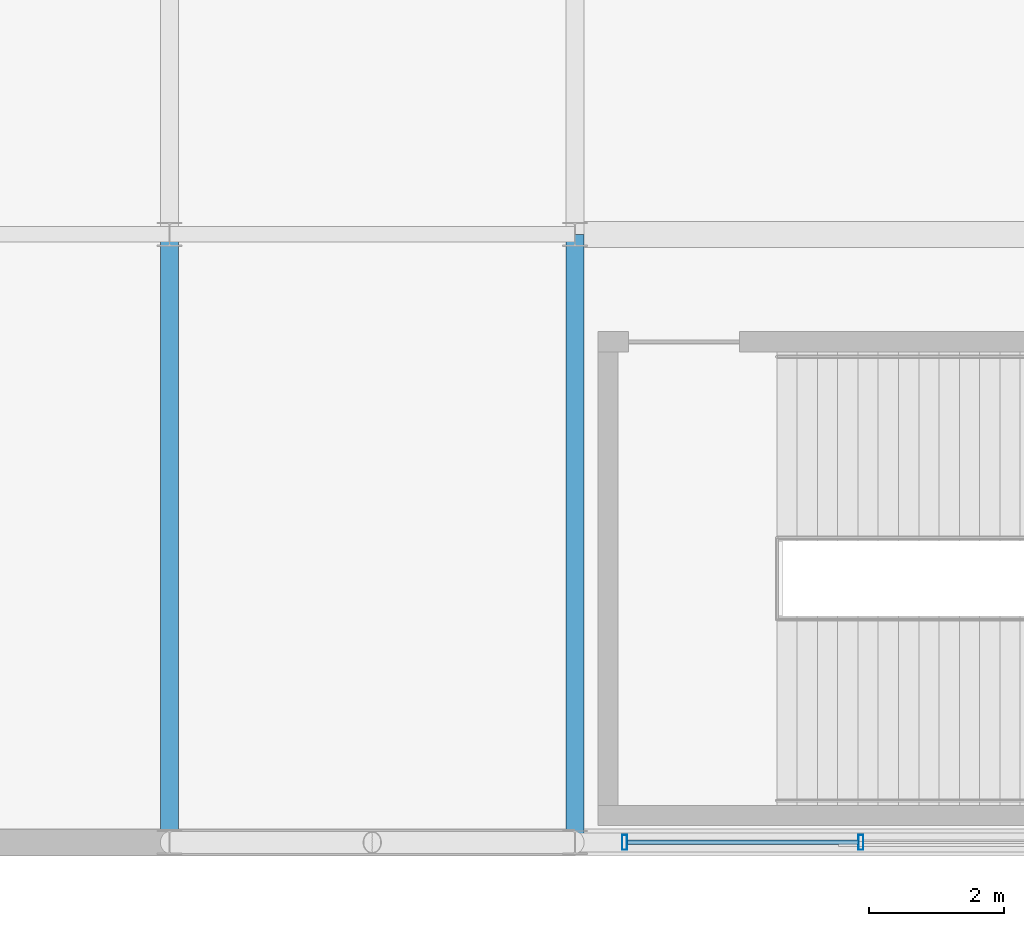
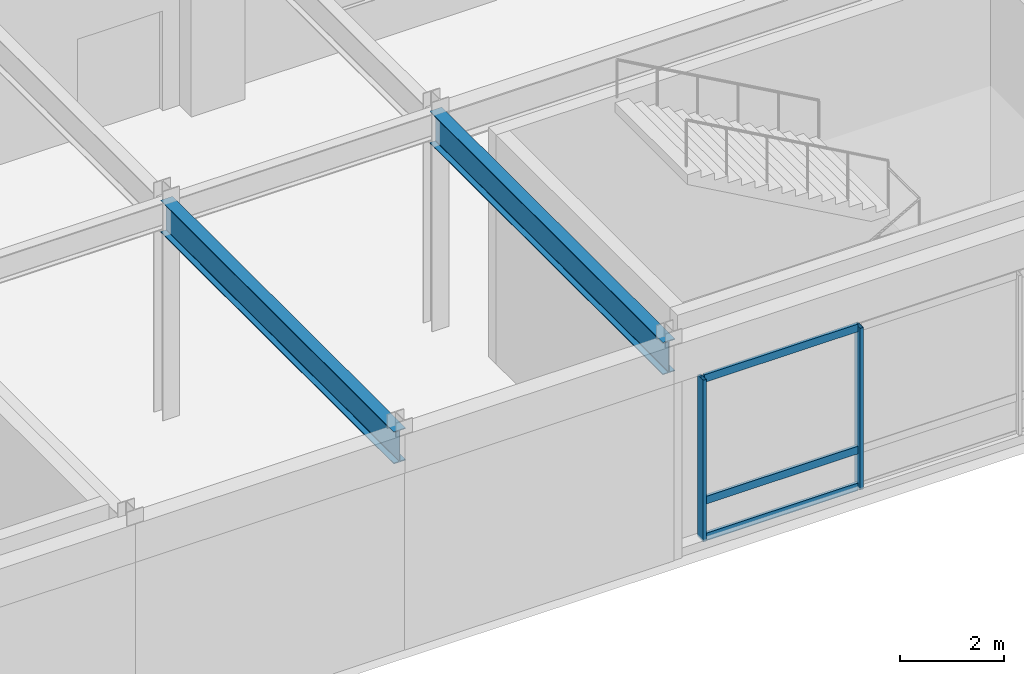
# One storey, part 29 of 100: 5 members, 2 beams, 1 element without a shape of its own.
"""IFC4 building model written with IfcOpenShell, lengths in metres."""

from ifc_helpers import new_model, si_unit, direction, frame, origin, origin_2d, place, context, subcontext, project, spatial, hollow_rectangle, i_section, extrude, material, material_profile, profile_set, type_object, element, aggregate, save


model = new_model("IFC4")

# Units and contexts
model_context = context("Model", 3, precision=1e-05, world=origin(), true_north=direction((0.0, 1.0)))
body_context = subcontext(model_context, "Body", "Model", "MODEL_VIEW")
ifc_project = project(units=[si_unit("LENGTHUNIT", "METRE"), si_unit("AREAUNIT", "SQUARE_METRE"), si_unit("VOLUMEUNIT", "CUBIC_METRE"), si_unit("PLANEANGLEUNIT", "RADIAN"), si_unit("MASSUNIT", "GRAM", prefix="KILO")], contexts=[model_context])

# Site, building, storey
site_placement = place(None, origin())
site = spatial("IfcSite", under=ifc_project, at=site_placement, CompositionType="ELEMENT")
building_placement = place(site_placement, origin())
building = spatial("IfcBuilding", under=site, at=building_placement, Name="Kaldorvane Square Convention Centre", CompositionType="ELEMENT")
storey_placement = place(building_placement, frame((0.0, 0.0, 18.0)))
storey = spatial("IfcBuildingStorey", under=building, at=storey_placement, Name="L03", CompositionType="ELEMENT", Elevation=18.0)

# Beams
ifc_material_1 = material(Name="Steel ASTM A992 Gr. 50", Category="steel")
ifc_material_profile_1 = material_profile(ifc_material_1, i_section(OverallWidth=0.2666015625, OverallDepth=0.762298583984375, WebThickness=0.014404296875, FlangeThickness=0.0216064453125, FilletRadius=0.0164947509765625, at=origin_2d()), Name="W30X116")
ifc_profile_set_1 = profile_set([ifc_material_profile_1], Name="Steel ASTM A992 Gr. 50")
beam_type = type_object("IfcBeamType", Name="BM-GR-W30X116", PredefinedType="BEAM", material=ifc_profile_set_1)
for number, where, z_axis, x_axis, name in (
    (1, (96.0, 0.0, 4.694793701171875), (0.0, 1.0, 0.0), (-1.0, 0.0, 0.0), "Transverse Girder (L03)"),
    (2, (102.0, 0.0, 4.694793701171875), (0.0, 1.0, 0.0), (-1.0, 0.0, 0.0), "Transverse Girder (L03)"),
):
    element("IfcBeam", number, at=place(storey_placement, frame(where, z_axis=z_axis, x_axis=x_axis)), inside=storey, type_object=beam_type, Name=name, PredefinedType="BEAM", context=body_context, shape_type="SweptSolid", body=[
        extrude(i_section(OverallWidth=0.2666015625, OverallDepth=0.762298583984375, WebThickness=0.014404296875, FlangeThickness=0.0216064453125, FilletRadius=0.0164947509765625, at=origin_2d()), origin(), (0.0, 0.0, 1.0), 9.0),
    ])

# Curtain wall, members
ifc_material_2 = material(Name="Anodized Aluminum and Low-E Insulated Glazing", Category="aluminium")
curtain_wall_type = type_object("IfcCurtainWallType", Name="CW-UNI-P54-12", PredefinedType="USERDEFINED", material=ifc_material_2)
curtain_wall_placement = place(storey_placement, origin())
curtain_wall = element("IfcCurtainWall", 3, at=curtain_wall_placement, inside=storey, type_object=curtain_wall_type, Name="Curtain Wall CW-03 (L03)", ObjectType="UNITISED GLAZING", PredefinedType="USERDEFINED")
ifc_material_profile_2 = material_profile(ifc_material_2, hollow_rectangle(XDim=0.0749969482421875, YDim=0.220001220703125, WallThickness=0.003997802734375, at=origin_2d()), Name="CWM-220X75")
ifc_profile_set_2 = profile_set([ifc_material_profile_2], Name="Anodized Aluminum and Low-E Insulated Glazing")
member_type_1 = type_object("IfcMemberType", Name="CW-MUL-220", PredefinedType="MULLION", material=ifc_profile_set_2)
member_1_placement = place(storey_placement, frame((102.73750305175781, 0.0, 0.149993896484375), z_axis=(0.0, 0.0, 1.0), x_axis=(1.0, 0.0, 0.0)))
member_1 = element("IfcMember", 4, at=member_1_placement, type_object=member_type_1, Name="CW-03 mullion 1", PredefinedType="MULLION", context=body_context, shape_type="SweptSolid", body=[
    extrude(hollow_rectangle(XDim=0.0749969482421875, YDim=0.220001220703125, WallThickness=0.003997802734375, at=origin_2d()), origin(), (0.0, 0.0, 1.0), 3.8100128173828125),
])
member_2_placement = place(storey_placement, frame((106.23333740234375, 0.0, 0.149993896484375), z_axis=(0.0, 0.0, 1.0), x_axis=(1.0, 0.0, 0.0)))
member_2 = element("IfcMember", 5, at=member_2_placement, type_object=member_type_1, Name="CW-03 mullion 2", PredefinedType="MULLION", context=body_context, shape_type="SweptSolid", body=[
    extrude(hollow_rectangle(XDim=0.0749969482421875, YDim=0.220001220703125, WallThickness=0.003997802734375, at=origin_2d()), origin(), (0.0, 0.0, 1.0), 3.8100128173828125),
])
ifc_material_profile_3 = material_profile(ifc_material_2, hollow_rectangle(XDim=0.06500244140625, YDim=0.17999267578125, WallThickness=0.0034942626953125, at=origin_2d()), Name="CWT-180X65")
ifc_profile_set_3 = profile_set([ifc_material_profile_3], Name="Anodized Aluminum and Low-E Insulated Glazing")
member_type_2 = type_object("IfcMemberType", Name="CW-TRN-180", PredefinedType="USERDEFINED", material=ifc_profile_set_3)
member_3_placement = place(storey_placement, frame((102.77499389648438, 0.0, 0.1824951171875), z_axis=(1.0, 0.0, 0.0), x_axis=(0.0, 1.0, 0.0)))
member_3 = element("IfcMember", 6, at=member_3_placement, type_object=member_type_2, Name="CW-03 transom 1.1", ObjectType="TRANSOM", PredefinedType="USERDEFINED", context=body_context, shape_type="SweptSolid", body=[
    extrude(hollow_rectangle(XDim=0.06500244140625, YDim=0.17999267578125, WallThickness=0.0034942626953125, at=origin_2d()), origin(), (0.0, 0.0, 1.0), 3.42083740234375),
])
member_4_placement = place(storey_placement, frame((102.77499389648438, 0.0, 1.0500030517578125), z_axis=(1.0, 0.0, 0.0), x_axis=(0.0, 1.0, 0.0)))
member_4 = element("IfcMember", 7, at=member_4_placement, type_object=member_type_2, Name="CW-03 transom 1.2", ObjectType="TRANSOM", PredefinedType="USERDEFINED", context=body_context, shape_type="SweptSolid", body=[
    extrude(hollow_rectangle(XDim=0.06500244140625, YDim=0.17999267578125, WallThickness=0.0034942626953125, at=origin_2d()), origin(), (0.0, 0.0, 1.0), 3.42083740234375),
])
member_5_placement = place(storey_placement, frame((102.77499389648438, 0.0, 3.9275054931640625), z_axis=(1.0, 0.0, 0.0), x_axis=(0.0, 1.0, 0.0)))
member_5 = element("IfcMember", 8, at=member_5_placement, type_object=member_type_2, Name="CW-03 transom 1.3", ObjectType="TRANSOM", PredefinedType="USERDEFINED", context=body_context, shape_type="SweptSolid", body=[
    extrude(hollow_rectangle(XDim=0.06500244140625, YDim=0.17999267578125, WallThickness=0.0034942626953125, at=origin_2d()), origin(), (0.0, 0.0, 1.0), 3.42083740234375),
])
aggregate(curtain_wall, [member_1, member_2, member_3, member_4, member_5])

save(model, "model.ifc")
